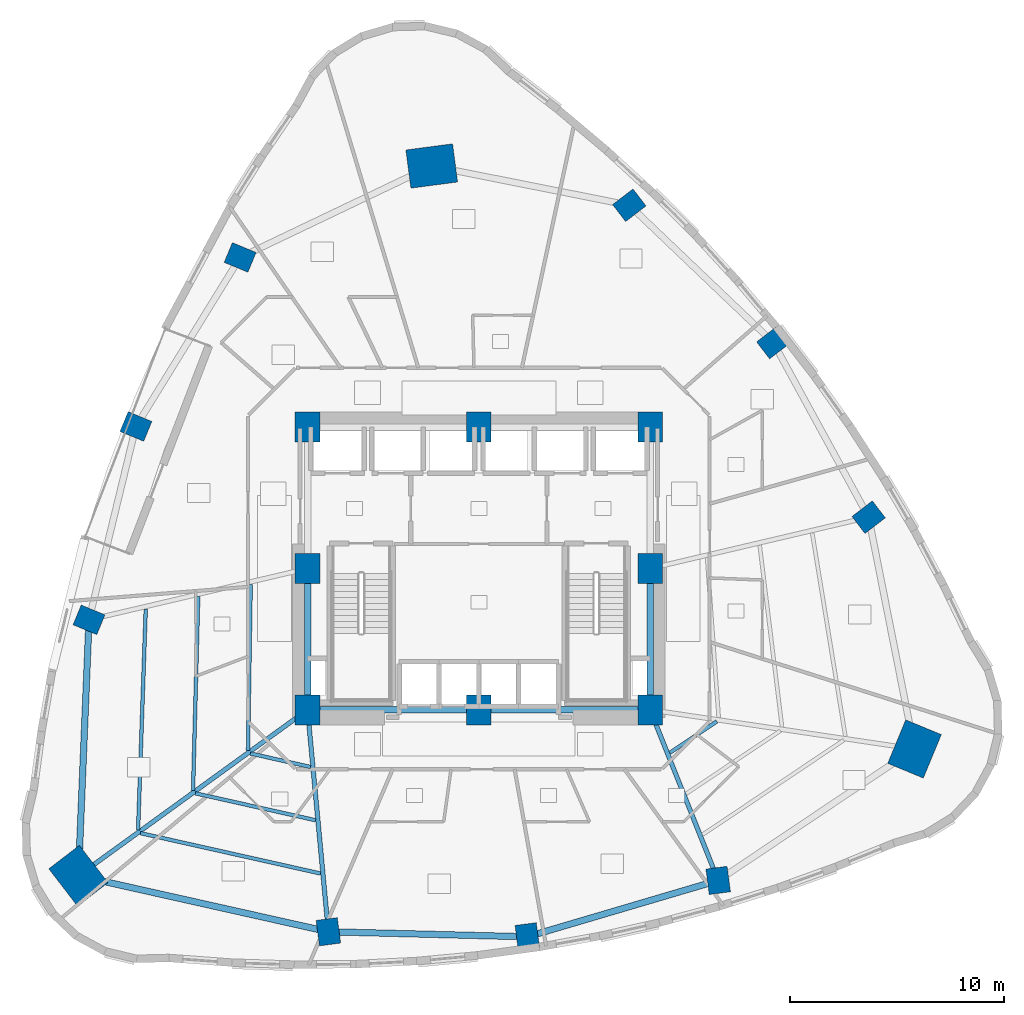
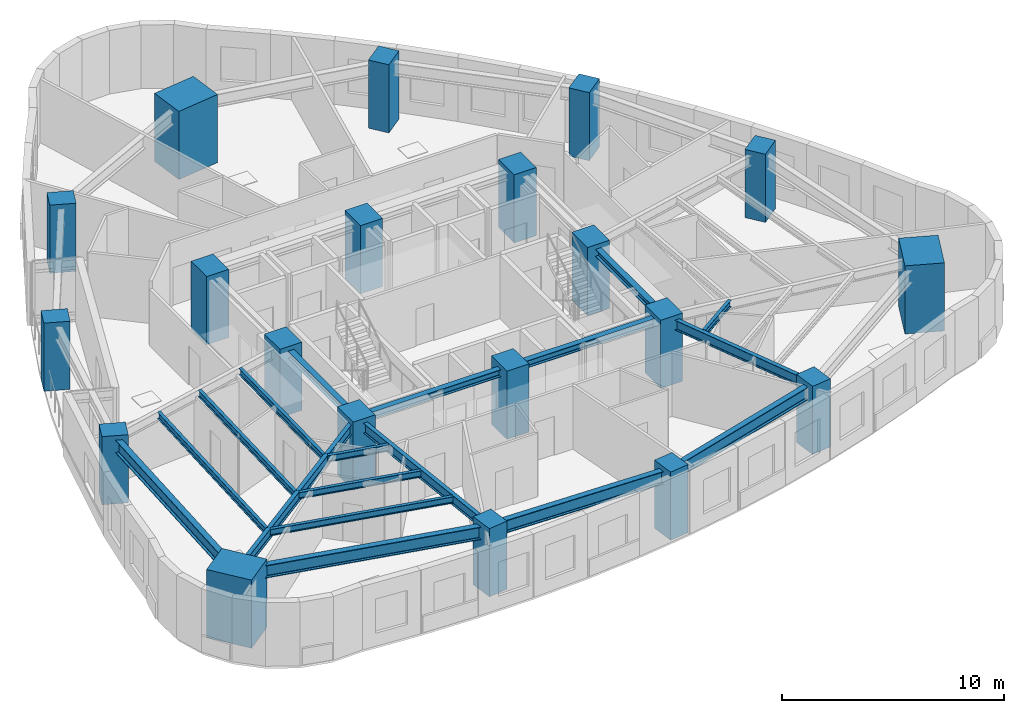
# One storey, part 1 of 12: 20 columns, 18 beams.
"""IFC4 building model written with IfcOpenShell, lengths in metres."""

from ifc_helpers import new_model, si_unit, direction, frame, origin, origin_2d, place, context, subcontext, project, spatial, rectangle, i_section, extrude, material, material_profile, profile_set, type_object, element, save


model = new_model("IFC4")

# Units and contexts
model_context = context("Model", 3, precision=1e-05, world=origin(), true_north=direction((0.0, 1.0)))
body_context = subcontext(model_context, "Body", "Model", "MODEL_VIEW")
ifc_project = project(units=[si_unit("LENGTHUNIT", "METRE"), si_unit("AREAUNIT", "SQUARE_METRE"), si_unit("VOLUMEUNIT", "CUBIC_METRE"), si_unit("PLANEANGLEUNIT", "RADIAN"), si_unit("MASSUNIT", "GRAM", prefix="KILO")], contexts=[model_context])

# Site, building, storey
site_placement = place(None, origin())
site = spatial("IfcSite", under=ifc_project, at=site_placement, CompositionType="ELEMENT")
building_placement = place(site_placement, origin())
building = spatial("IfcBuilding", under=site, at=building_placement, Name="Ndelora Gate Hotel", CompositionType="ELEMENT")
storey_placement = place(building_placement, frame((0.0, 0.0, 64.25)))
storey = spatial("IfcBuildingStorey", under=building, at=storey_placement, Name="L15", CompositionType="ELEMENT", Elevation=64.25)

# Columns
ifc_material_1 = material(Name="Concrete C60/75", Category="concrete")
ifc_material_profile_1 = material_profile(ifc_material_1, rectangle(XDim=1.14990234375, YDim=1.39990234375, at=origin_2d()), Name="RC 1400x1150")
ifc_profile_set_1 = profile_set([ifc_material_profile_1], Name="Concrete C60/75")
column_type_1 = type_object("IfcColumnType", Name="COL-CC-LOW", PredefinedType="COLUMN", material=ifc_profile_set_1)
for number, where, z_axis, x_axis, name in (
    (1, (-8.0, -6.60009765625, 0.0), (0.0, 0.0, 1.0), (1.0, 0.0, 0.0), "L15 Core Column CC1"),
    (2, (0.0, -6.60009765625, 0.0), (0.0, 0.0, 1.0), (1.0, 0.0, 0.0), "L15 Core Column CC2"),
    (3, (8.0, -6.60009765625, 0.0), (0.0, 0.0, 1.0), (1.0, 0.0, 0.0), "L15 Core Column CC3"),
    (4, (8.0, 0.0, 0.0), (0.0, 0.0, 1.0), (1.0, 0.0, 0.0), "L15 Core Column CC4"),
    (5, (8.0, 6.60009765625, 0.0), (0.0, 0.0, 1.0), (1.0, 0.0, 0.0), "L15 Core Column CC5"),
    (6, (0.0, 6.60009765625, 0.0), (0.0, 0.0, 1.0), (1.0, 0.0, 0.0), "L15 Core Column CC6"),
    (7, (-8.0, 6.60009765625, 0.0), (0.0, 0.0, 1.0), (1.0, 0.0, 0.0), "L15 Core Column CC7"),
    (8, (-8.0, 0.0, 0.0), (0.0, 0.0, 1.0), (1.0, 0.0, 0.0), "L15 Core Column CC8"),
):
    element("IfcColumn", number, at=place(storey_placement, frame(where, z_axis=z_axis, x_axis=x_axis)), inside=storey, type_object=column_type_1, Name=name, PredefinedType="COLUMN", context=body_context, shape_type="SweptSolid", body=[
        extrude(rectangle(XDim=1.14990234375, YDim=1.39990234375, at=origin_2d()), origin(), (0.0, 0.0, 1.0), 3.75),
    ])
ifc_material_profile_2 = material_profile(ifc_material_1, rectangle(XDim=1.800048828125, YDim=2.199951171875, at=origin_2d()), Name="RC 2200x1800")
ifc_profile_set_2 = profile_set([ifc_material_profile_2], Name="Concrete C60/75")
column_type_2 = type_object("IfcColumnType", Name="COL-MC-Z1", PredefinedType="COLUMN", material=ifc_profile_set_2)
for number, where, z_axis, x_axis, name in (
    (9, (-2.199951171875, 18.800048828125, 0.0), (0.0, 0.0, 1.0), (-0.13052619222, 0.991444861374, 0.0), "L15 Corner Mega-Column R1"),
    (10, (-18.701904296875, -14.3505859375, 0.0), (0.0, 0.0, 1.0), (0.793353340291, 0.608761429009, 0.0), "L15 Corner Mega-Column R5"),
    (11, (20.35009765625, -8.42919921875, 0.0), (0.0, 0.0, 1.0), (-0.923879532511, 0.382683432365, 0.0), "L15 Corner Mega-Column R9"),
):
    element("IfcColumn", number, at=place(storey_placement, frame(where, z_axis=z_axis, x_axis=x_axis)), inside=storey, type_object=column_type_2, Name=name, PredefinedType="COLUMN", context=body_context, shape_type="SweptSolid", body=[
        extrude(rectangle(XDim=1.800048828125, YDim=2.199951171875, at=origin_2d()), origin(), (0.0, 0.0, 1.0), 3.75),
    ])
ifc_material_profile_3 = material_profile(ifc_material_1, rectangle(XDim=1.0, YDim=1.199951171875, at=origin_2d()), Name="RC 1200x1000")
ifc_profile_set_3 = profile_set([ifc_material_profile_3], Name="Concrete C60/75")
column_type_3 = type_object("IfcColumnType", Name="COL-PT-Z1", PredefinedType="COLUMN", material=ifc_profile_set_3)
for number, where, z_axis, x_axis, name in (
    (12, (-11.1484375, 14.529052734375, 0.0), (0.0, 0.0, 1.0), (0.382683432365, 0.923879532511, 0.0), "L15 Perimeter Tube Column R2"),
    (13, (-16.016845703125, 6.634521484375, 0.0), (0.0, 0.0, 1.0), (0.382683432365, 0.923879532511, 0.0), "L15 Perimeter Tube Column R3"),
    (14, (-18.207275390625, -2.39697265625, 0.0), (0.0, 0.0, 1.0), (0.382683432365, 0.923879532511, 0.0), "L15 Perimeter Tube Column R4"),
    (15, (-7.027587890625, -16.96630859375, 0.0), (0.0, 0.0, 1.0), (0.991444861374, 0.13052619222, 0.0), "L15 Perimeter Tube Column R6"),
    (16, (2.2646484375, -17.20166015625, 0.0), (0.0, 0.0, 1.0), (0.991444861374, 0.13052619222, 0.0), "L15 Perimeter Tube Column R7"),
    (17, (11.179443359375, -14.5693359375, 0.0), (0.0, 0.0, 1.0), (0.991444861374, 0.13052619222, 0.0), "L15 Perimeter Tube Column R8"),
    (18, (18.207275390625, 2.39697265625, 0.0), (0.0, 0.0, 1.0), (-0.608761429009, 0.793353340291, 0.0), "L15 Perimeter Tube Column R10"),
    (19, (13.75390625, 10.5537109375, 0.0), (0.0, 0.0, 1.0), (-0.608761429009, 0.793353340291, 0.0), "L15 Perimeter Tube Column R11"),
    (20, (7.027587890625, 16.96630859375, 0.0), (0.0, 0.0, 1.0), (-0.608761429009, 0.793353340291, 0.0), "L15 Perimeter Tube Column R12"),
):
    element("IfcColumn", number, at=place(storey_placement, frame(where, z_axis=z_axis, x_axis=x_axis)), inside=storey, type_object=column_type_3, Name=name, PredefinedType="COLUMN", context=body_context, shape_type="SweptSolid", body=[
        extrude(rectangle(XDim=1.0, YDim=1.199951171875, at=origin_2d()), origin(), (0.0, 0.0, 1.0), 3.75),
    ])

# Beams
ifc_material_2 = material(Name="Steel S355", Category="steel")
ifc_material_profile_4 = material_profile(ifc_material_2, i_section(OverallWidth=0.300048828125, OverallDepth=0.39990234375, WebThickness=0.013427734375, FlangeThickness=0.02392578125, FilletRadius=0.027099609375, at=origin_2d()), Name="HEB 400")
ifc_profile_set_4 = profile_set([ifc_material_profile_4], Name="Steel S355")
beam_type_1 = type_object("IfcBeamType", Name="BM-CORE-400", PredefinedType="BEAM", material=ifc_profile_set_4)
for number, where, z_axis, x_axis, name in (
    (21, (-8.0, -6.60009765625, 3.300048828125), (0.0, 1.0, 0.0), (-1.0, 0.0, 0.0), "L15 Core Tie Girder CC1-CC8"),
    (22, (8.0, -6.60009765625, 3.300048828125), (0.0, 1.0, 0.0), (-1.0, 0.0, 0.0), "L15 Core Tie Girder CC3-CC4"),
):
    element("IfcBeam", number, at=place(storey_placement, frame(where, z_axis=z_axis, x_axis=x_axis)), inside=storey, type_object=beam_type_1, Name=name, PredefinedType="BEAM", context=body_context, shape_type="SweptSolid", body=[
        extrude(i_section(OverallWidth=0.300048828125, OverallDepth=0.39990234375, WebThickness=0.013427734375, FlangeThickness=0.02392578125, FilletRadius=0.027099609375, at=origin_2d()), origin(), (0.0, 0.0, 1.0), 6.60009765625),
    ])
for number, where, z_axis, x_axis, name in (
    (23, (-8.0, -6.60009765625, 3.300048828125), (1.0, 0.0, 0.0), (0.0, 1.0, 0.0), "L15 Core Tie Girder CC1-CC2"),
    (24, (0.0, -6.60009765625, 3.300048828125), (1.0, 0.0, 0.0), (0.0, 1.0, 0.0), "L15 Core Tie Girder CC2-CC3"),
):
    element("IfcBeam", number, at=place(storey_placement, frame(where, z_axis=z_axis, x_axis=x_axis)), inside=storey, type_object=beam_type_1, Name=name, PredefinedType="BEAM", context=body_context, shape_type="SweptSolid", body=[
        extrude(i_section(OverallWidth=0.300048828125, OverallDepth=0.39990234375, WebThickness=0.013427734375, FlangeThickness=0.02392578125, FilletRadius=0.027099609375, at=origin_2d()), origin(), (0.0, 0.0, 1.0), 8.0),
    ])
ifc_material_profile_5 = material_profile(ifc_material_2, i_section(OverallWidth=0.169921875, OverallDepth=0.360107421875, WebThickness=0.008056640625, FlangeThickness=0.0126953125, FilletRadius=0.01806640625, at=origin_2d()), Name="IPE 360")
ifc_profile_set_5 = profile_set([ifc_material_profile_5], Name="Steel S355")
beam_type_2 = type_object("IfcBeamType", Name="BM-JST-360", PredefinedType="JOIST", material=ifc_profile_set_5)
beam_1_placement = place(storey_placement, frame((-10.65576171875, -0.73828125, 3.320068359375), z_axis=(-0.016071150123, -0.999870850727, 0.0), x_axis=(0.999870850727, -0.016071150123, 0.0)))
element("IfcBeam", 25, at=beam_1_placement, inside=storey, type_object=beam_type_2, Name="L15 Secondary Composite Floor Joist IN-4", PredefinedType="JOIST", context=body_context, shape_type="SweptSolid", body=[
    extrude(i_section(OverallWidth=0.169921875, OverallDepth=0.360107421875, WebThickness=0.008056640625, FlangeThickness=0.0126953125, FilletRadius=0.01806640625, at=origin_2d()), origin(), (0.0, 0.0, 1.0), 7.7626953125),
])
beam_2_placement = place(storey_placement, frame((-13.106689453125, -1.3134765625, 3.320068359375), z_axis=(-0.02665287705, -0.999644748971, 0.0), x_axis=(0.999644748971, -0.02665287705, 0.0)))
element("IfcBeam", 26, at=beam_2_placement, inside=storey, type_object=beam_type_2, Name="L15 Secondary Composite Floor Joist MID-4", PredefinedType="JOIST", context=body_context, shape_type="SweptSolid", body=[
    extrude(i_section(OverallWidth=0.169921875, OverallDepth=0.360107421875, WebThickness=0.008056640625, FlangeThickness=0.0126953125, FilletRadius=0.01806640625, at=origin_2d()), origin(), (0.0, 0.0, 1.0), 9.050048828125),
])
beam_3_placement = place(storey_placement, frame((-15.557373046875, -1.888671875, 3.320068359375), z_axis=(-0.034620883261, -0.999400517532, 0.0), x_axis=(0.999400517532, -0.034620883261, 0.0)))
element("IfcBeam", 27, at=beam_3_placement, inside=storey, type_object=beam_type_2, Name="L15 Secondary Composite Floor Joist OUT-4", PredefinedType="JOIST", context=body_context, shape_type="SweptSolid", body=[
    extrude(i_section(OverallWidth=0.169921875, OverallDepth=0.360107421875, WebThickness=0.008056640625, FlangeThickness=0.0126953125, FilletRadius=0.01806640625, at=origin_2d()), origin(), (0.0, 0.0, 1.0), 10.337890625),
])
beam_4_placement = place(storey_placement, frame((-10.67041015625, -8.640380859375, 3.320068359375), z_axis=(0.975820751938, -0.218572322325, 0.0), x_axis=(0.218572322325, 0.975820751938, 0.0)))
element("IfcBeam", 28, at=beam_4_placement, inside=storey, type_object=beam_type_2, Name="L15 Secondary Composite Floor Joist IN-5", PredefinedType="JOIST", context=body_context, shape_type="SweptSolid", body=[
    extrude(i_section(OverallWidth=0.169921875, OverallDepth=0.360107421875, WebThickness=0.008056640625, FlangeThickness=0.0126953125, FilletRadius=0.01806640625, at=origin_2d()), origin(), (0.0, 0.0, 1.0), 2.880615234375),
])
beam_5_placement = place(storey_placement, frame((-13.23876953125, -10.50048828125, 3.320068359375), z_axis=(0.975805037012, -0.218642470123, 0.0), x_axis=(0.218642470123, 0.975805037012, 0.0)))
element("IfcBeam", 29, at=beam_5_placement, inside=storey, type_object=beam_type_2, Name="L15 Secondary Composite Floor Joist MID-5", PredefinedType="JOIST", context=body_context, shape_type="SweptSolid", body=[
    extrude(i_section(OverallWidth=0.169921875, OverallDepth=0.360107421875, WebThickness=0.008056640625, FlangeThickness=0.0126953125, FilletRadius=0.01806640625, at=origin_2d()), origin(), (0.0, 0.0, 1.0), 5.751708984375),
])
beam_6_placement = place(storey_placement, frame((-15.80712890625, -12.360595703125, 3.320068359375), z_axis=(0.975802493229, -0.218653822759, 0.0), x_axis=(0.218653822759, 0.975802493229, 0.0)))
element("IfcBeam", 30, at=beam_6_placement, inside=storey, type_object=beam_type_2, Name="L15 Secondary Composite Floor Joist OUT-5", PredefinedType="JOIST", context=body_context, shape_type="SweptSolid", body=[
    extrude(i_section(OverallWidth=0.169921875, OverallDepth=0.360107421875, WebThickness=0.008056640625, FlangeThickness=0.0126953125, FilletRadius=0.01806640625, at=origin_2d()), origin(), (0.0, 0.0, 1.0), 8.623291015625),
])
beam_7_placement = place(storey_placement, frame((8.922119140625, -8.608154296875, 3.320068359375), z_axis=(0.830952990267, 0.556342635402, 0.0), x_axis=(-0.556342635402, 0.830952990267, 0.0)))
element("IfcBeam", 31, at=beam_7_placement, inside=storey, type_object=beam_type_2, Name="L15 Secondary Composite Floor Joist IN-8", PredefinedType="JOIST", context=body_context, shape_type="SweptSolid", body=[
    extrude(i_section(OverallWidth=0.169921875, OverallDepth=0.360107421875, WebThickness=0.008056640625, FlangeThickness=0.0126953125, FilletRadius=0.01806640625, at=origin_2d()), origin(), (0.0, 0.0, 1.0), 2.6396484375),
])
ifc_material_profile_6 = material_profile(ifc_material_2, i_section(OverallWidth=0.2099609375, OverallDepth=0.550048828125, WebThickness=0.010986328125, FlangeThickness=0.01708984375, FilletRadius=0.02392578125, at=origin_2d()), Name="IPE 550")
ifc_profile_set_6 = profile_set([ifc_material_profile_6], Name="Steel S355")
beam_type_3 = type_object("IfcBeamType", Name="BM-RAD-550", PredefinedType="BEAM", material=ifc_profile_set_6)
beam_8_placement = place(storey_placement, frame((-8.0, -6.60009765625, 3.22509765625), z_axis=(-0.809912157619, -0.586551188679, 0.0), x_axis=(0.586551188679, -0.809912157619, 0.0)))
element("IfcBeam", 32, at=beam_8_placement, inside=storey, type_object=beam_type_3, Name="L15 Radial Floor Girder 5", PredefinedType="BEAM", context=body_context, shape_type="SweptSolid", body=[
    extrude(i_section(OverallWidth=0.2099609375, OverallDepth=0.550048828125, WebThickness=0.010986328125, FlangeThickness=0.01708984375, FilletRadius=0.02392578125, at=origin_2d()), origin(), (0.0, 0.0, 1.0), 13.213623046875),
])
beam_9_placement = place(storey_placement, frame((-8.0, -6.60009765625, 3.22509765625), z_axis=(0.093395913855, -0.995629049031, 0.0), x_axis=(0.995629049031, 0.093395913855, 0.0)))
element("IfcBeam", 33, at=beam_9_placement, inside=storey, type_object=beam_type_3, Name="L15 Radial Floor Girder 6", PredefinedType="BEAM", context=body_context, shape_type="SweptSolid", body=[
    extrude(i_section(OverallWidth=0.2099609375, OverallDepth=0.550048828125, WebThickness=0.010986328125, FlangeThickness=0.01708984375, FilletRadius=0.02392578125, at=origin_2d()), origin(), (0.0, 0.0, 1.0), 10.41162109375),
])
beam_10_placement = place(storey_placement, frame((8.0, -6.60009765625, 3.22509765625), z_axis=(0.37056142644, -0.92880796144, 0.0), x_axis=(0.92880796144, 0.37056142644, 0.0)))
element("IfcBeam", 34, at=beam_10_placement, inside=storey, type_object=beam_type_3, Name="L15 Radial Floor Girder 8", PredefinedType="BEAM", context=body_context, shape_type="SweptSolid", body=[
    extrude(i_section(OverallWidth=0.2099609375, OverallDepth=0.550048828125, WebThickness=0.010986328125, FlangeThickness=0.01708984375, FilletRadius=0.02392578125, at=origin_2d()), origin(), (0.0, 0.0, 1.0), 8.580078125),
])
ifc_material_profile_7 = material_profile(ifc_material_2, i_section(OverallWidth=0.300048828125, OverallDepth=0.699951171875, WebThickness=0.01708984375, FlangeThickness=0.031982421875, FilletRadius=0.027099609375, at=origin_2d()), Name="HEB 700")
ifc_profile_set_7 = profile_set([ifc_material_profile_7], Name="Steel S355")
beam_type_4 = type_object("IfcBeamType", Name="BM-RING-700", PredefinedType="SPANDREL", material=ifc_profile_set_7)
for number, where, z_axis, x_axis, name in (
    (35, (-18.207275390625, -2.39697265625, 3.14990234375), (-0.041343648978, -0.99914498582, 0.0), (0.99914498582, -0.041343648978, 0.0), "L15 Perimeter Spandrel Girder 4"),
    (36, (-18.701904296875, -14.3505859375, 3.14990234375), (0.97580624377, -0.218637084273, 0.0), (0.218637084273, 0.97580624377, 0.0), "L15 Perimeter Spandrel Girder 5"),
):
    element("IfcBeam", number, at=place(storey_placement, frame(where, z_axis=z_axis, x_axis=x_axis)), inside=storey, type_object=beam_type_4, Name=name, PredefinedType="SPANDREL", context=body_context, shape_type="SweptSolid", body=[
        extrude(i_section(OverallWidth=0.300048828125, OverallDepth=0.699951171875, WebThickness=0.01708984375, FlangeThickness=0.031982421875, FilletRadius=0.027099609375, at=origin_2d()), origin(), (0.0, 0.0, 1.0), 11.9638671875),
    ])
beam_11_placement = place(storey_placement, frame((-7.027587890625, -16.96630859375, 3.14990234375), z_axis=(0.999679406439, -0.025319643409, 0.0), x_axis=(0.025319643409, 0.999679406439, 0.0)))
element("IfcBeam", 37, at=beam_11_placement, inside=storey, type_object=beam_type_4, Name="L15 Perimeter Spandrel Girder 6", PredefinedType="SPANDREL", context=body_context, shape_type="SweptSolid", body=[
    extrude(i_section(OverallWidth=0.300048828125, OverallDepth=0.699951171875, WebThickness=0.01708984375, FlangeThickness=0.031982421875, FilletRadius=0.027099609375, at=origin_2d()), origin(), (0.0, 0.0, 1.0), 9.295166015625),
])
beam_12_placement = place(storey_placement, frame((2.2646484375, -17.20166015625, 3.14990234375), z_axis=(0.959064248316, 0.283188572514, 0.0), x_axis=(-0.283188572514, 0.959064248316, 0.0)))
element("IfcBeam", 38, at=beam_12_placement, inside=storey, type_object=beam_type_4, Name="L15 Perimeter Spandrel Girder 7", PredefinedType="SPANDREL", context=body_context, shape_type="SweptSolid", body=[
    extrude(i_section(OverallWidth=0.300048828125, OverallDepth=0.699951171875, WebThickness=0.01708984375, FlangeThickness=0.031982421875, FilletRadius=0.027099609375, at=origin_2d()), origin(), (0.0, 0.0, 1.0), 9.29541015625),
])

save(model, "model.ifc")
